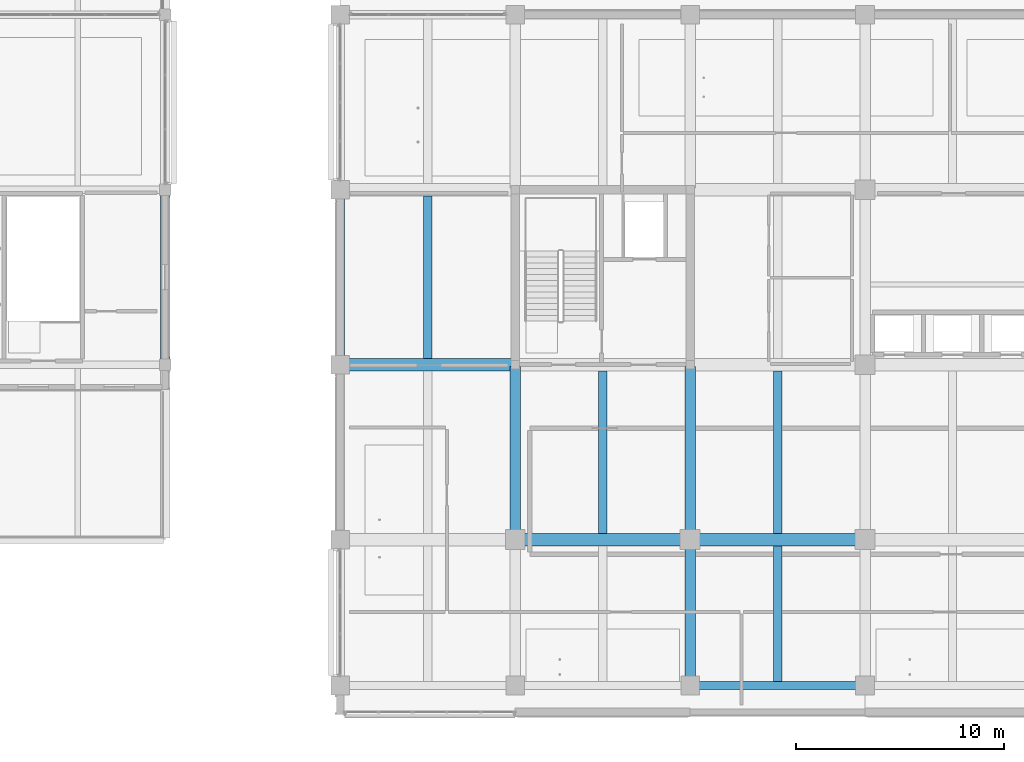
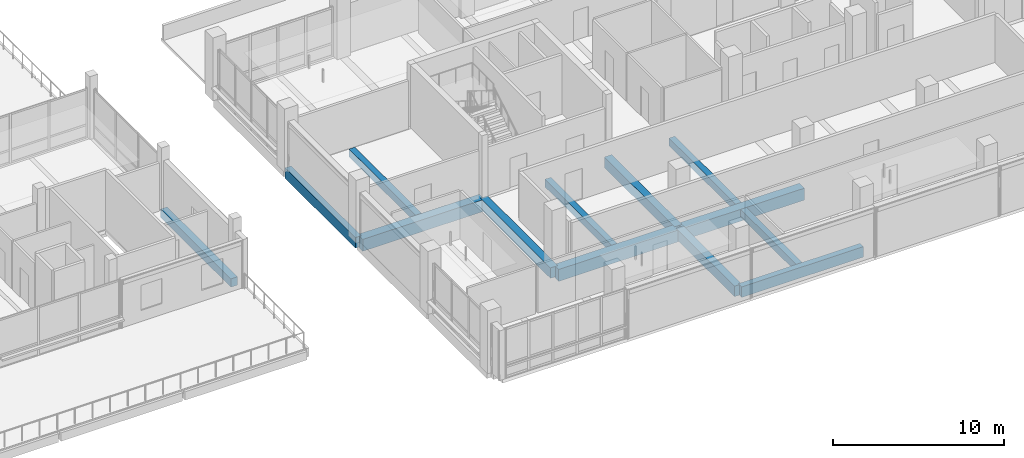
# One storey, part 6 of 59: 13 beams.
"""IFC4 building model written with IfcOpenShell, lengths in metres."""

from ifc_helpers import new_model, si_unit, direction, frame, origin, origin_2d, place, context, subcontext, project, spatial, rectangle, extrude, material, material_profile, profile_set, type_object, element, save


model = new_model("IFC4")

# Units and contexts
model_context = context("Model", 3, precision=1e-05, world=origin(), true_north=direction((0.0, 1.0)))
body_context = subcontext(model_context, "Body", "Model", "MODEL_VIEW")
ifc_project = project(units=[si_unit("LENGTHUNIT", "METRE"), si_unit("AREAUNIT", "SQUARE_METRE"), si_unit("VOLUMEUNIT", "CUBIC_METRE"), si_unit("PLANEANGLEUNIT", "RADIAN"), si_unit("MASSUNIT", "GRAM", prefix="KILO")], contexts=[model_context])

# Site, building, storey
site_placement = place(None, origin())
site = spatial("IfcSite", under=ifc_project, at=site_placement, CompositionType="ELEMENT")
building_placement = place(site_placement, origin())
building = spatial("IfcBuilding", under=site, at=building_placement, Name="Telukmera Botanical Conservatory", CompositionType="ELEMENT")
storey_placement = place(building_placement, frame((0.0, 0.0, 15.0)))
storey = spatial("IfcBuildingStorey", under=building, at=storey_placement, Name="L03", CompositionType="ELEMENT", Elevation=15.0)

# Beams
ifc_material_1 = material(Name="Concrete C40/50", Category="concrete")
ifc_material_profile_1 = material_profile(ifc_material_1, rectangle(XDim=0.60009765625, YDim=0.85009765625, at=origin_2d()), Name="RC 600x850")
ifc_profile_set_1 = profile_set([ifc_material_profile_1], Name="Concrete C40/50")
beam_type_1 = type_object("IfcBeamType", Name="Beam_B11", PredefinedType="BEAM", material=ifc_profile_set_1)
beam_1_placement = place(storey_placement, frame((58.8798828125, 17.60009765625, -0.425048828125), z_axis=(1.0, 0.0, 0.0), x_axis=(0.0, 1.0, 0.0)))
element("IfcBeam", 1, at=beam_1_placement, inside=storey, type_object=beam_type_1, Name="Tower Grid Beam L03", PredefinedType="BEAM", context=body_context, shape_type="SweptSolid", body=[
    extrude(rectangle(XDim=0.60009765625, YDim=0.85009765625, at=origin_2d()), origin(), (0.0, 0.0, 1.0), 8.240234375),
])
for number, where, z_axis, x_axis, name in (
    (2, (67.280029296875, 17.60009765625, -0.425048828125), (1.0, 0.0, 0.0), (0.0, 1.0, 0.0), "Tower Grid Beam L03"),
    (3, (50.47998046875, 26.0, -0.425048828125), (1.0, 0.0, 0.0), (0.0, 1.0, 0.0), "Tower Grid Beam L03"),
):
    element("IfcBeam", number, at=place(storey_placement, frame(where, z_axis=z_axis, x_axis=x_axis)), inside=storey, type_object=beam_type_1, Name=name, PredefinedType="BEAM", context=body_context, shape_type="SweptSolid", body=[
        extrude(rectangle(XDim=0.60009765625, YDim=0.85009765625, at=origin_2d()), origin(), (0.0, 0.0, 1.0), 8.239990234375),
    ])
ifc_material_profile_2 = material_profile(ifc_material_1, rectangle(XDim=0.5, YDim=0.75, at=origin_2d()), Name="RC 500x750")
ifc_profile_set_2 = profile_set([ifc_material_profile_2], Name="Concrete C40/50")
beam_type_2 = type_object("IfcBeamType", Name="Beam_B13", PredefinedType="BEAM", material=ifc_profile_set_2)
beam_2_placement = place(storey_placement, frame((58.800048828125, 17.679931640625, -0.375), z_axis=(0.0, 1.0, 0.0), x_axis=(-1.0, 0.0, 0.0)))
element("IfcBeam", 4, at=beam_2_placement, inside=storey, type_object=beam_type_2, Name="Tower Transverse Beam L03", PredefinedType="BEAM", context=body_context, shape_type="SweptSolid", body=[
    extrude(rectangle(XDim=0.5, YDim=0.75, at=origin_2d()), origin(), (0.0, 0.0, 1.0), 8.239990234375),
])
beam_3_placement = place(storey_placement, frame((67.199951171875, 10.679931640625, -0.375), z_axis=(0.0, 1.0, 0.0), x_axis=(-1.0, 0.0, 0.0)))
element("IfcBeam", 5, at=beam_3_placement, inside=storey, type_object=beam_type_2, Name="Tower Transverse Beam L03", PredefinedType="BEAM", context=body_context, shape_type="SweptSolid", body=[
    extrude(rectangle(XDim=0.5, YDim=0.75, at=origin_2d()), origin(), (0.0, 0.0, 1.0), 6.840087890625),
])
beam_4_placement = place(storey_placement, frame((67.199951171875, 17.679931640625, -0.375), z_axis=(0.0, 1.0, 0.0), x_axis=(-1.0, 0.0, 0.0)))
element("IfcBeam", 6, at=beam_4_placement, inside=storey, type_object=beam_type_2, Name="Tower Transverse Beam L03", PredefinedType="BEAM", context=body_context, shape_type="SweptSolid", body=[
    extrude(rectangle(XDim=0.5, YDim=0.75, at=origin_2d()), origin(), (0.0, 0.0, 1.0), 8.239990234375),
])
ifc_material_profile_3 = material_profile(ifc_material_1, rectangle(XDim=0.449951171875, YDim=0.60009765625, at=origin_2d()), Name="RC 450x600")
ifc_profile_set_3 = profile_set([ifc_material_profile_3], Name="Concrete C40/50")
beam_type_3 = type_object("IfcBeamType", Name="Beam_B17", PredefinedType="BEAM", material=ifc_profile_set_3)
beam_5_placement = place(storey_placement, frame((42.0, 26.080078125, -0.300048828125), z_axis=(0.0, 1.0, 0.0), x_axis=(-1.0, 0.0, 0.0)))
element("IfcBeam", 7, at=beam_5_placement, inside=storey, type_object=beam_type_3, Name="Visitor Wing Transverse Beam L03", PredefinedType="BEAM", context=body_context, shape_type="SweptSolid", body=[
    extrude(rectangle(XDim=0.449951171875, YDim=0.60009765625, at=origin_2d()), origin(), (0.0, 0.0, 1.0), 8.239990234375),
])
ifc_material_profile_4 = material_profile(ifc_material_1, rectangle(XDim=0.39990234375, YDim=0.550048828125, at=origin_2d()), Name="RC 400x550")
ifc_profile_set_4 = profile_set([ifc_material_profile_4], Name="Concrete C40/50")
beam_type_4 = type_object("IfcBeamType", Name="Beam_B19", PredefinedType="JOIST", material=ifc_profile_set_4)
for number, where, z_axis, x_axis, name in (
    (8, (54.60009765625, 26.300048828125, -0.27490234375), (0.0, 1.0, 0.0), (-1.0, 0.0, 0.0), "Tower Secondary Floor Joist L03"),
    (9, (63.0, 17.89990234375, -0.27490234375), (0.0, 1.0, 0.0), (-1.0, 0.0, 0.0), "Tower Secondary Floor Joist L03"),
):
    element("IfcBeam", number, at=place(storey_placement, frame(where, z_axis=z_axis, x_axis=x_axis)), inside=storey, type_object=beam_type_4, Name=name, PredefinedType="JOIST", context=body_context, shape_type="SweptSolid", body=[
        extrude(rectangle(XDim=0.39990234375, YDim=0.550048828125, at=origin_2d()), origin(), (0.0, 0.0, 1.0), 7.800048828125),
    ])
beam_6_placement = place(storey_placement, frame((71.39990234375, 10.800048828125, -0.27490234375), z_axis=(0.0, 1.0, 0.0), x_axis=(-1.0, 0.0, 0.0)))
element("IfcBeam", 10, at=beam_6_placement, inside=storey, type_object=beam_type_4, Name="Tower Secondary Floor Joist L03", PredefinedType="JOIST", context=body_context, shape_type="SweptSolid", body=[
    extrude(rectangle(XDim=0.39990234375, YDim=0.550048828125, at=origin_2d()), origin(), (0.0, 0.0, 1.0), 6.5),
])
beam_7_placement = place(storey_placement, frame((71.39990234375, 17.89990234375, -0.27490234375), z_axis=(0.0, 1.0, 0.0), x_axis=(-1.0, 0.0, 0.0)))
element("IfcBeam", 11, at=beam_7_placement, inside=storey, type_object=beam_type_4, Name="Tower Secondary Floor Joist L03", PredefinedType="JOIST", context=body_context, shape_type="SweptSolid", body=[
    extrude(rectangle(XDim=0.39990234375, YDim=0.550048828125, at=origin_2d()), origin(), (0.0, 0.0, 1.0), 7.800048828125),
])
ifc_material_2 = material(Name="Precast concrete C40/50", Category="concrete")
ifc_material_profile_5 = material_profile(ifc_material_2, rectangle(XDim=0.39990234375, YDim=0.75, at=origin_2d()), Name="PC 400x750")
ifc_profile_set_5 = profile_set([ifc_material_profile_5], Name="Precast concrete C40/50")
beam_type_5 = type_object("IfcBeamType", Name="Beam_SP1", PredefinedType="SPANDREL", material=ifc_profile_set_5)
for number, where, z_axis, x_axis, name in (
    (12, (67.280029296875, 10.60009765625, -0.375), (1.0, 0.0, 0.0), (0.0, 1.0, 0.0), "Tower Grid Beam L03"),
    (13, (50.39990234375, 26.080078125, -0.375), (0.0, 1.0, 0.0), (-1.0, 0.0, 0.0), "Tower Transverse Beam L03"),
):
    element("IfcBeam", number, at=place(storey_placement, frame(where, z_axis=z_axis, x_axis=x_axis)), inside=storey, type_object=beam_type_5, Name=name, PredefinedType="SPANDREL", context=body_context, shape_type="SweptSolid", body=[
        extrude(rectangle(XDim=0.39990234375, YDim=0.75, at=origin_2d()), origin(), (0.0, 0.0, 1.0), 8.239990234375),
    ])

save(model, "model.ifc")
